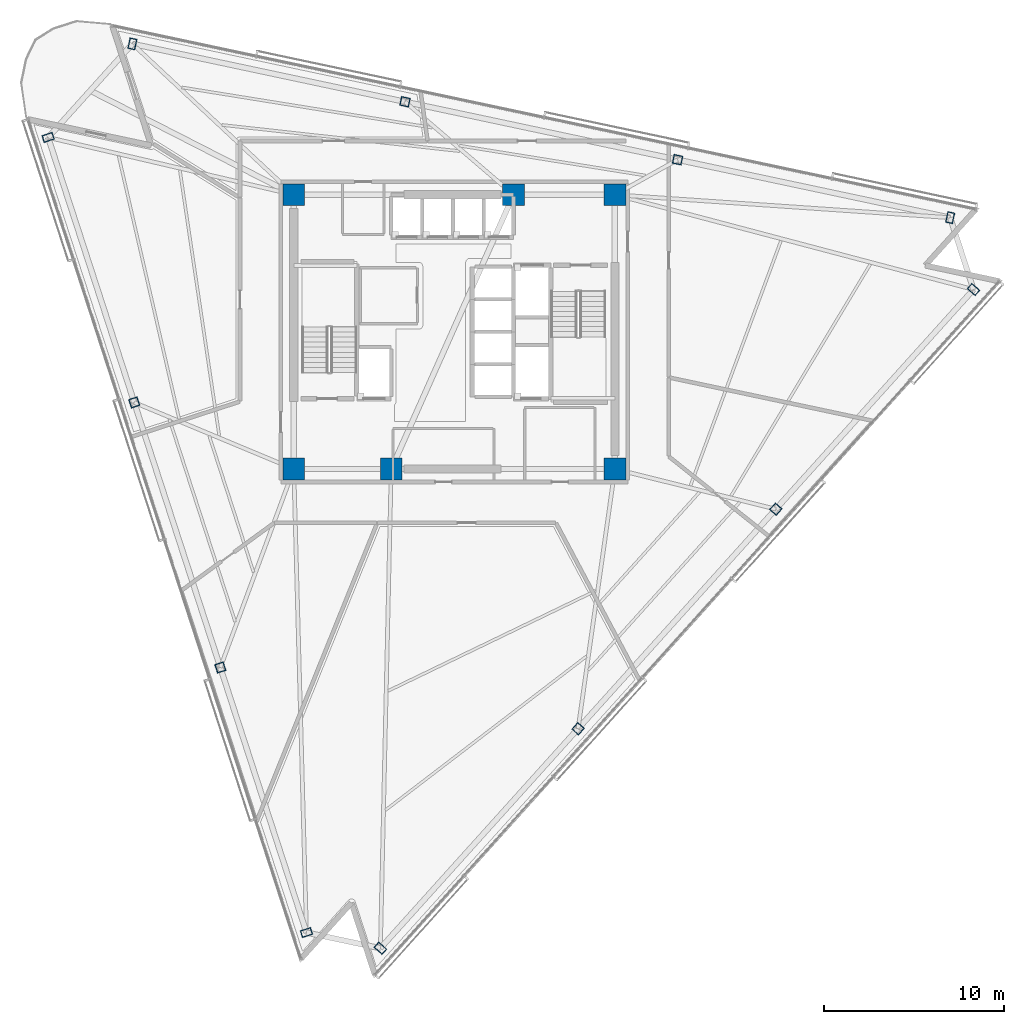
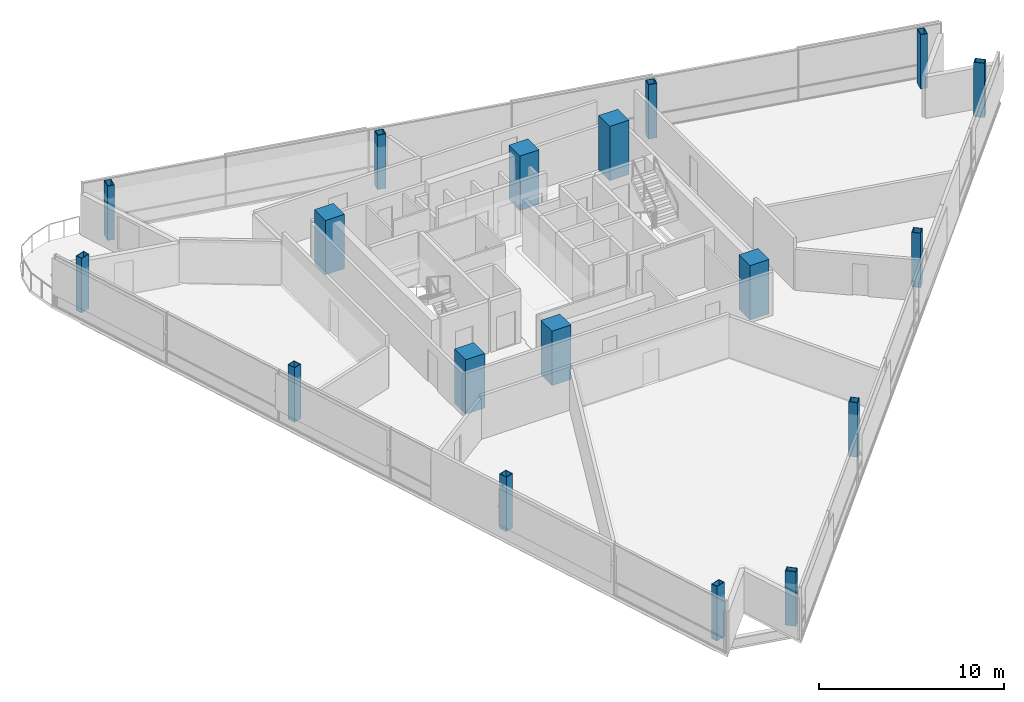
# One storey, part 1 of 17: 18 columns.
"""IFC4 building model written with IfcOpenShell, lengths in metres."""

import ifcopenshell
import ifcopenshell.guid

model = None  # the IFC model being written
_history = None  # IfcOwnerHistory: only IFC2X3 demands one
_inside = {}  # id of a spatial element -> (the spatial element, [elements in it])
_under = {}  # id of a project, library or spatial element -> (it, [spatial elements below it])
_declared = {}  # id of a project -> (the project, [libraries it declares])
_typed = {}  # id of a type object -> (the type object, [elements of that type])
_made_of = {}  # id of a material, layer set ... -> (it, [elements and type objects made of it])


def new_model(schema):
    """Start an empty IFC model of exactly this schema.

    Asked for "IFC4X3", IfcOpenShell would pick the latest addendum, in which some entities
    have other attributes; the version numbers below select the first issue.
    IFC2X3 requires an IfcOwnerHistory on every rooted entity: one is made here for all.
    """
    global model, _history
    if schema == "IFC4X3":
        model = ifcopenshell.file(schema_version=(4, 3, 0, 0))
    else:
        model = ifcopenshell.file(schema=schema)
    _inside.clear()
    _under.clear()
    _declared.clear()
    _typed.clear()
    _made_of.clear()
    _history = None
    if model.schema == "IFC2X3":
        org = make("IfcOrganization", Name="unknown")
        user = make(
            "IfcPersonAndOrganization",
            ThePerson=make("IfcPerson", FamilyName="unknown"),
            TheOrganization=org,
        )
        app = make(
            "IfcApplication",
            ApplicationDeveloper=org,
            Version="unknown",
            ApplicationFullName="unknown",
            ApplicationIdentifier="unknown",
        )
        _history = make(
            "IfcOwnerHistory",
            OwningUser=user,
            OwningApplication=app,
            ChangeAction="ADDED",
            CreationDate=0,
        )
    return model


def make(cls, **values):
    """One entity of the class cls with the attributes given. An attribute that is None is left unset."""
    return model.create_entity(
        cls, **{name: value for name, value in values.items() if value is not None}
    )


def rooted(cls, **values):
    """An entity with a GlobalId (a new one), such as an element, a storey or a relation."""
    return make(cls, GlobalId=ifcopenshell.guid.new(), OwnerHistory=_history, **values)


def si_unit(unit_type, name, prefix=None):
    """IfcSIUnit, for example si_unit("LENGTHUNIT", "METRE", prefix="MILLI")."""
    return make("IfcSIUnit", UnitType=unit_type, Prefix=prefix, Name=name)


def assignment(units):
    """IfcUnitAssignment: the units of a project."""
    return None if units is None else make("IfcUnitAssignment", Units=units)


def point(xyz):
    """IfcCartesianPoint."""
    return None if xyz is None else make("IfcCartesianPoint", Coordinates=xyz)


def direction(xyz):
    """IfcDirection."""
    return None if xyz is None else make("IfcDirection", DirectionRatios=xyz)


def frame(location, z_axis=None, x_axis=None):
    """IfcAxis2Placement3D, a coordinate frame: its origin and axes. An axis left out is left unset."""
    return make(
        "IfcAxis2Placement3D",
        Location=point(location),
        Axis=direction(z_axis),
        RefDirection=direction(x_axis),
    )


def frame_2d(location, x_axis=None):
    """IfcAxis2Placement2D, a coordinate frame in the plane: its origin and x axis."""
    return make(
        "IfcAxis2Placement2D", Location=point(location), RefDirection=direction(x_axis)
    )


def origin():
    """The frame at (0, 0, 0) with its axes left unset."""
    return frame((0.0, 0.0, 0.0))


def origin_2d():
    """The frame at (0, 0) in the plane with its x axis left unset."""
    return frame_2d((0.0, 0.0))


def place(relative_to, where):
    """IfcLocalPlacement: puts the frame where relative to a parent placement (None: the world)."""
    return make(
        "IfcLocalPlacement", PlacementRelTo=relative_to, RelativePlacement=where
    )


def context(
    kind, dimensions, precision=None, world=None, true_north=None, identifier=None
):
    """IfcGeometricRepresentationContext, for example the 3D "Model" context."""
    return make(
        "IfcGeometricRepresentationContext",
        ContextIdentifier=identifier,
        ContextType=kind,
        CoordinateSpaceDimension=dimensions,
        Precision=precision,
        WorldCoordinateSystem=world,
        TrueNorth=true_north,
    )


def subcontext(parent, identifier, kind, view, scale=None):
    """IfcGeometricRepresentationSubContext, for example "Body" below "Model"."""
    return make(
        "IfcGeometricRepresentationSubContext",
        ContextIdentifier=identifier,
        ContextType=kind,
        ParentContext=parent,
        TargetScale=scale,
        TargetView=view,
    )


def project(units=None, contexts=None):
    """IfcProject with its units and contexts."""
    return rooted(
        "IfcProject",
        Name="project",
        RepresentationContexts=contexts,
        UnitsInContext=assignment(units),
    )


def spatial(cls, under=None, at=None, **own):
    """A site, building, storey or space (cls), placed at a placement, below another one or the project."""
    s = rooted(cls, ObjectPlacement=at, **own)
    if under is not None:
        _under.setdefault(under.id(), (under, []))[1].append(s)
    return s


def profile(cls, at=None, kind="AREA", **sizes):
    """A parametric profile (cls). Its sizes go by their IFC names, for example OverallWidth=200.0."""
    return make(cls, ProfileType=kind, Position=at, **sizes)


def rectangle(**sizes):
    """IfcRectangleProfileDef."""
    return profile("IfcRectangleProfileDef", **sizes)


def hollow_rectangle(**sizes):
    """IfcRectangleHollowProfileDef."""
    return profile("IfcRectangleHollowProfileDef", **sizes)


def extrude(swept, where, along, depth):
    """IfcExtrudedAreaSolid: the profile swept, set in the frame where, extruded along a direction by depth."""
    return make(
        "IfcExtrudedAreaSolid",
        SweptArea=swept,
        Position=where,
        ExtrudedDirection=direction(along),
        Depth=depth,
    )


def shape(context_of_items, identifier, shape_type, items):
    """IfcShapeRepresentation: the items that make up one representation, for example the "Body"."""
    return make(
        "IfcShapeRepresentation",
        ContextOfItems=context_of_items,
        RepresentationIdentifier=identifier,
        RepresentationType=shape_type,
        Items=items,
    )


def material(Name=None, Category=None):
    """IfcMaterial."""
    return make("IfcMaterial", Name=Name, Category=Category)


def material_profile(
    of_material, cross_section, Name=None, Category=None, Priority=None
):
    """IfcMaterialProfile: a cross section and its material."""
    return make(
        "IfcMaterialProfile",
        Name=Name,
        Material=of_material,
        Profile=cross_section,
        Priority=Priority,
        Category=Category,
    )


def profile_set(profiles, Name=None, composite=None):
    """IfcMaterialProfileSet."""
    return make(
        "IfcMaterialProfileSet",
        Name=Name,
        MaterialProfiles=profiles,
        CompositeProfile=composite,
    )


def made_of(thing, what):
    """Note that an element or type object is made of a material, layer set ...; save() writes the relation."""
    if what is not None:
        _made_of.setdefault(what.id(), (what, []))[1].append(thing)
    return thing


def type_object(cls, material=None, **own):
    """A type object (cls), such as IfcWallType, which elements share."""
    return made_of(rooted(cls, **own), material)


def element(
    cls,
    number,
    at=None,
    inside=None,
    cuts=None,
    type_object=None,
    material=None,
    context=None,
    identifier="Body",
    shape_type=None,
    held_by="IfcProductDefinitionShape",
    body=None,
    shapes=None,
    **own,
):
    """One element of the class cls, such as IfcWall. Its Tag is "e" and its number.

    at: its placement. inside: the storey or other place that contains it. cuts: it is an
    opening in that element (IfcRelVoidsElement). A single representation is given by context,
    identifier, shape_type and body (its items); several are given by shapes. held_by: the class
    of the entity that holds the representations. save() writes the other relations.
    """
    e = rooted(cls, Tag="e%d" % number, ObjectPlacement=at, **own)
    if body is not None:
        shapes = [shape(context, identifier, shape_type, body)]
    if shapes is not None:
        e.Representation = make(held_by, Representations=shapes)
    if inside is not None:
        _inside.setdefault(inside.id(), (inside, []))[1].append(e)
    if cuts is not None:
        rooted(
            "IfcRelVoidsElement", RelatingBuildingElement=cuts, RelatedOpeningElement=e
        )
    if type_object is not None:
        _typed.setdefault(type_object.id(), (type_object, []))[1].append(e)
    return made_of(e, material)


def aggregate(whole, parts):
    """IfcRelAggregates: a whole, such as a stair, and the parts it consists of."""
    return rooted("IfcRelAggregates", RelatingObject=whole, RelatedObjects=parts)


def save(model, path):
    """Write the relations noted so far, then the file.

    IfcRelAggregates (storeys below a building ...), IfcRelContainedInSpatialStructure (elements
    in a storey), IfcRelDefinesByType, IfcRelAssociatesMaterial and IfcRelDeclares: one each for
    every whole, place, type object, material and project.
    """
    for whole, parts in _under.values():
        aggregate(whole, parts)
    for where, things in _inside.values():
        rooted(
            "IfcRelContainedInSpatialStructure",
            RelatedElements=things,
            RelatingStructure=where,
        )
    for kind, things in _typed.values():
        rooted("IfcRelDefinesByType", RelatedObjects=things, RelatingType=kind)
    for what, things in _made_of.values():
        rooted("IfcRelAssociatesMaterial", RelatedObjects=things, RelatingMaterial=what)
    for by, libraries in _declared.values():
        rooted("IfcRelDeclares", RelatingContext=by, RelatedDefinitions=libraries)
    model.write(path)


model = new_model("IFC4")

# Units and contexts
model_context = context("Model", 3, precision=1e-05, world=origin(), true_north=direction((0.0, 1.0)))
body_context = subcontext(model_context, "Body", "Model", "MODEL_VIEW")
ifc_project = project(units=[si_unit("LENGTHUNIT", "METRE"), si_unit("AREAUNIT", "SQUARE_METRE"), si_unit("VOLUMEUNIT", "CUBIC_METRE"), si_unit("PLANEANGLEUNIT", "RADIAN"), si_unit("MASSUNIT", "GRAM", prefix="KILO")], contexts=[model_context])

# Site, building, storey
site_placement = place(None, origin())
site = spatial("IfcSite", under=ifc_project, at=site_placement, CompositionType="ELEMENT")
building_placement = place(site_placement, origin())
building = spatial("IfcBuilding", under=site, at=building_placement, Name="Tharavind Bronze Gate", CompositionType="ELEMENT")
storey_placement = place(building_placement, frame((0.0, 0.0, 200.449951171875)))
storey = spatial("IfcBuildingStorey", under=building, at=storey_placement, Name="L51", CompositionType="ELEMENT", Elevation=200.449951171875)

# Columns
ifc_material_1 = material(Name="Steel S460", Category="steel")
ifc_material_profile_1 = material_profile(ifc_material_1, hollow_rectangle(XDim=0.39990234375, YDim=0.60009765625, WallThickness=0.030029296875, at=origin_2d()), Name="RHS600X400X30")
ifc_profile_set_1 = profile_set([ifc_material_profile_1], Name="Steel S460")
column_type_1 = type_object("IfcColumnType", Name="CORNER NOTCH COLUMN RHS600X400", PredefinedType="COLUMN", material=ifc_profile_set_1)
for number, where, z_axis, x_axis, name in (
    (1, (-22.515380859375, 10.77685546875, 0.0), (0.0, 0.0, 1.0), (-0.309016994375, 0.951056516295, 0.0), "L51 perimeter column S1C1"),
    (2, (-8.197021484375, -33.29150390625, 0.0), (0.0, 0.0, 1.0), (-0.309016994375, 0.951056516295, 0.0), "L51 perimeter column S1C4"),
    (3, (-4.100341796875, -34.162353515625, 0.0), (0.0, 0.0, 1.0), (0.669130606359, 0.743144825477, 0.0), "L51 perimeter column S2C1"),
    (4, (28.772705078125, 2.34716796875, 0.0), (0.0, 0.0, 1.0), (0.669130606359, 0.743144825477, 0.0), "L51 perimeter column S2C4"),
    (5, (27.478515625, 6.330078125, 0.0), (0.0, 0.0, 1.0), (-0.978147600734, 0.207911690818, 0.0), "L51 perimeter column S3C1"),
    (6, (-17.844970703125, 15.9638671875, 0.0), (0.0, 0.0, 1.0), (-0.978147600734, 0.207911690818, 0.0), "L51 perimeter column S3C4"),
):
    element("IfcColumn", number, at=place(storey_placement, frame(where, z_axis=z_axis, x_axis=x_axis)), inside=storey, type_object=column_type_1, Name=name, PredefinedType="COLUMN", context=body_context, shape_type="SweptSolid", body=[
        extrude(hollow_rectangle(XDim=0.39990234375, YDim=0.60009765625, WallThickness=0.030029296875, at=origin_2d()), origin(), (0.0, 0.0, 1.0), 3.60009765625),
    ])
ifc_material_2 = material(Name="Concrete C60/75", Category="concrete")
ifc_material_profile_2 = material_profile(ifc_material_2, rectangle(XDim=1.199951171875, YDim=1.199951171875, at=origin_2d()), Name="RCCOL1200")
ifc_profile_set_2 = profile_set([ifc_material_profile_2], Name="Concrete C60/75")
column_type_2 = type_object("IfcColumnType", Name="MEGA CORE COLUMN 1200", PredefinedType="COLUMN", material=ifc_profile_set_2)
for number, where, z_axis, x_axis, name in (
    (7, (-8.89990234375, -7.60009765625, 0.0), (0.0, 0.0, 1.0), (1.0, 0.0, 0.0), "L51 core mega column MC1"),
    (8, (-3.5, -7.60009765625, 0.0), (0.0, 0.0, 1.0), (1.0, 0.0, 0.0), "L51 core mega column MC2"),
    (9, (8.89990234375, -7.60009765625, 0.0), (0.0, 0.0, 1.0), (1.0, 0.0, 0.0), "L51 core mega column MC3"),
    (10, (8.89990234375, 7.60009765625, 0.0), (0.0, 0.0, 1.0), (1.0, 0.0, 0.0), "L51 core mega column MC4"),
    (11, (3.280029296875, 7.60009765625, 0.0), (0.0, 0.0, 1.0), (1.0, 0.0, 0.0), "L51 core mega column MC5"),
    (12, (-8.89990234375, 7.60009765625, 0.0), (0.0, 0.0, 1.0), (1.0, 0.0, 0.0), "L51 core mega column MC6"),
):
    element("IfcColumn", number, at=place(storey_placement, frame(where, z_axis=z_axis, x_axis=x_axis)), inside=storey, type_object=column_type_2, Name=name, PredefinedType="COLUMN", context=body_context, shape_type="SweptSolid", body=[
        extrude(rectangle(XDim=1.199951171875, YDim=1.199951171875, at=origin_2d()), origin(), (0.0, 0.0, 1.0), 3.60009765625),
    ])
ifc_material_profile_3 = material_profile(ifc_material_1, hollow_rectangle(XDim=0.5, YDim=0.5, WallThickness=0.031982421875, at=origin_2d()), Name="SHS500X32")
ifc_profile_set_3 = profile_set([ifc_material_profile_3], Name="Steel S460")
column_type_3 = type_object("IfcColumnType", Name="PERIMETER BOX COLUMN SHS500", PredefinedType="COLUMN", material=ifc_profile_set_3)
for number, where, z_axis, x_axis, name in (
    (13, (-17.74267578125, -3.91259765625, 0.0), (0.0, 0.0, 1.0), (-0.309016994375, 0.951056516295, 0.0), "L51 perimeter column S1C2"),
    (14, (-12.9697265625, -18.60205078125, 0.0), (0.0, 0.0, 1.0), (-0.309016994375, 0.951056516295, 0.0), "L51 perimeter column S1C3"),
    (15, (6.857421875, -21.992431640625, 0.0), (0.0, 0.0, 1.0), (0.669130606359, 0.743144825477, 0.0), "L51 perimeter column S2C2"),
    (16, (17.815185546875, -9.82275390625, 0.0), (0.0, 0.0, 1.0), (0.669130606359, 0.743144825477, 0.0), "L51 perimeter column S2C3"),
    (17, (12.370849609375, 9.54150390625, 0.0), (0.0, 0.0, 1.0), (-0.978147600734, 0.207911690818, 0.0), "L51 perimeter column S3C2"),
    (18, (-2.737060546875, 12.752685546875, 0.0), (0.0, 0.0, 1.0), (-0.978147600734, 0.207911690818, 0.0), "L51 perimeter column S3C3"),
):
    element("IfcColumn", number, at=place(storey_placement, frame(where, z_axis=z_axis, x_axis=x_axis)), inside=storey, type_object=column_type_3, Name=name, PredefinedType="COLUMN", context=body_context, shape_type="SweptSolid", body=[
        extrude(hollow_rectangle(XDim=0.5, YDim=0.5, WallThickness=0.031982421875, at=origin_2d()), origin(), (0.0, 0.0, 1.0), 3.60009765625),
    ])

save(model, "model.ifc")
